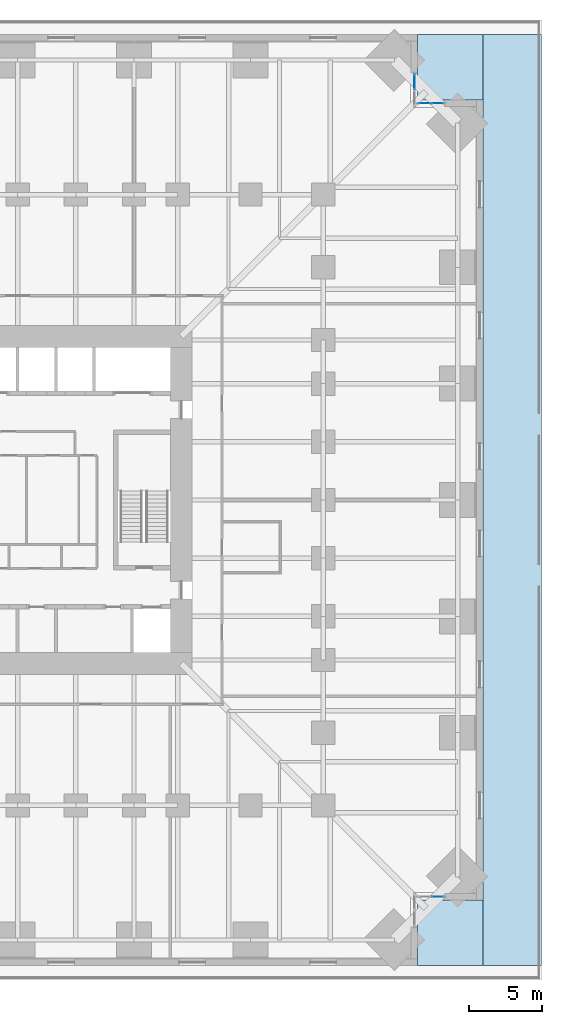
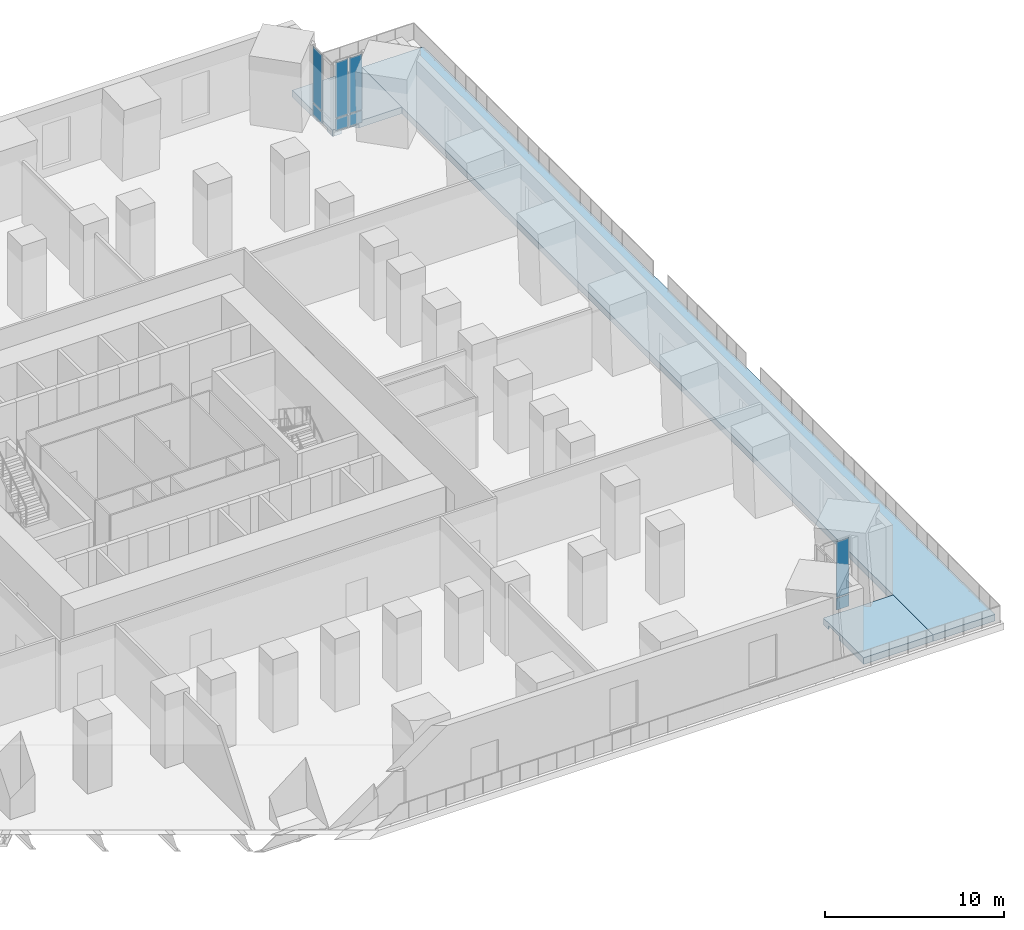
# One storey, part 18 of 26: 8 plates, 3 slabs, 3 elements without a shape of their own.
"""IFC4 building model written with IfcOpenShell, lengths in metres."""

from ifc_helpers import new_model, si_unit, direction, frame, origin, origin_2d, place, context, subcontext, project, spatial, polyline, rectangle, outline, extrude, boolean, material, layer, layer_set, type_object, element, aggregate, save


model = new_model("IFC4")

# Units and contexts
model_context = context("Model", 3, precision=1e-05, world=origin(), true_north=direction((0.0, 1.0)))
body_context = subcontext(model_context, "Body", "Model", "MODEL_VIEW")
ifc_project = project(units=[si_unit("LENGTHUNIT", "METRE"), si_unit("AREAUNIT", "SQUARE_METRE"), si_unit("VOLUMEUNIT", "CUBIC_METRE"), si_unit("PLANEANGLEUNIT", "RADIAN"), si_unit("MASSUNIT", "GRAM", prefix="KILO")], contexts=[model_context])

# Site, building, storey
site_placement = place(None, origin())
site = spatial("IfcSite", under=ifc_project, at=site_placement, CompositionType="ELEMENT")
building_placement = place(site_placement, origin())
building = spatial("IfcBuilding", under=site, at=building_placement, Name="Peilmerk Tower", CompositionType="ELEMENT")
storey_placement = place(building_placement, frame((0.0, 0.0, 16.0)))
storey = spatial("IfcBuildingStorey", under=building, at=storey_placement, Name="L03", CompositionType="ELEMENT", Elevation=16.0)

# Curtain wall, plates
ifc_material_1 = material(Name="Aluminium stick curtain wall", Category="aluminium")
curtain_wall_type = type_object("IfcCurtainWallType", Name="CW1 stick curtain wall, 1500 module", PredefinedType="NOTDEFINED", material=ifc_material_1)
curtain_wall_1_placement = place(storey_placement, origin())
curtain_wall_1 = element("IfcCurtainWall", 1, at=curtain_wall_1_placement, inside=storey, type_object=curtain_wall_type, Name="Curtain wall CW1 NEA L03", PredefinedType="NOTDEFINED")
ifc_material_2 = material(Name="Clear insulated glazing unit", Category="glass")
ifc_layer_1 = layer(ifc_material_2, 0.028076171875)
ifc_layer_set_1 = layer_set([ifc_layer_1], Name="Clear insulated glazing unit")
plate_type = type_object("IfcPlateType", Name="CW1-P 28 glazed panel", PredefinedType="CURTAIN_PANEL", material=ifc_layer_set_1)
plate_1_placement = place(storey_placement, frame((27.27490234375, 28.750244140625, 0.06494140625), z_axis=(0.0, 0.0, 1.0), x_axis=(0.0, 1.0, 0.0)))
plate_1 = element("IfcPlate", 2, at=plate_1_placement, type_object=plate_type, Name="CW1 panel 2.1", PredefinedType="CURTAIN_PANEL", context=body_context, shape_type="SweptSolid", body=[
    extrude(rectangle(XDim=1.046875, YDim=0.028076171875, at=origin_2d()), origin(), (0.0, 0.0, 1.0), 0.802490234375),
])
plate_2_placement = place(storey_placement, frame((27.27490234375, 28.750244140625, 0.9326171875), z_axis=(0.0, 0.0, 1.0), x_axis=(0.0, 1.0, 0.0)))
plate_2 = element("IfcPlate", 3, at=plate_2_placement, type_object=plate_type, Name="CW1 panel 2.2", PredefinedType="CURTAIN_PANEL", context=body_context, shape_type="SweptSolid", body=[
    extrude(rectangle(XDim=1.046875, YDim=0.028076171875, at=origin_2d()), origin(), (0.0, 0.0, 1.0), 3.802490234375),
])
aggregate(curtain_wall_1, [plate_1, plate_2])

curtain_wall_2_placement = place(storey_placement, origin())
curtain_wall_2 = element("IfcCurtainWall", 4, at=curtain_wall_2_placement, inside=storey, type_object=curtain_wall_type, Name="Curtain wall CW1 NEB L03", PredefinedType="NOTDEFINED")
plate_3_placement = place(storey_placement, frame((27.975830078125, 27.27490234375, 0.06494140625), z_axis=(0.0, 0.0, 1.0), x_axis=(1.0, 0.0, 0.0)))
plate_3 = element("IfcPlate", 5, at=plate_3_placement, type_object=plate_type, Name="CW1 panel 1.1", PredefinedType="CURTAIN_PANEL", context=body_context, shape_type="SweptSolid", body=[
    extrude(rectangle(XDim=0.82177734375, YDim=0.028076171875, at=origin_2d()), origin(), (0.0, 0.0, 1.0), 0.802490234375),
])
plate_4_placement = place(storey_placement, frame((27.975830078125, 27.27490234375, 0.9326171875), z_axis=(0.0, 0.0, 1.0), x_axis=(1.0, 0.0, 0.0)))
plate_4 = element("IfcPlate", 6, at=plate_4_placement, type_object=plate_type, Name="CW1 panel 1.2", PredefinedType="CURTAIN_PANEL", context=body_context, shape_type="SweptSolid", body=[
    extrude(rectangle(XDim=0.82177734375, YDim=0.028076171875, at=origin_2d()), origin(), (0.0, 0.0, 1.0), 3.802490234375),
])
plate_5_placement = place(storey_placement, frame((28.86279296875, 27.27490234375, 0.06494140625), z_axis=(0.0, 0.0, 1.0), x_axis=(1.0, 0.0, 0.0)))
plate_5 = element("IfcPlate", 7, at=plate_5_placement, type_object=plate_type, Name="CW1 panel 2.1", PredefinedType="CURTAIN_PANEL", context=body_context, shape_type="SweptSolid", body=[
    extrude(rectangle(XDim=0.82177734375, YDim=0.028076171875, at=origin_2d()), origin(), (0.0, 0.0, 1.0), 0.802490234375),
])
plate_6_placement = place(storey_placement, frame((28.86279296875, 27.27490234375, 0.9326171875), z_axis=(0.0, 0.0, 1.0), x_axis=(1.0, 0.0, 0.0)))
plate_6 = element("IfcPlate", 8, at=plate_6_placement, type_object=plate_type, Name="CW1 panel 2.2", PredefinedType="CURTAIN_PANEL", context=body_context, shape_type="SweptSolid", body=[
    extrude(rectangle(XDim=0.82177734375, YDim=0.028076171875, at=origin_2d()), origin(), (0.0, 0.0, 1.0), 3.802490234375),
])
aggregate(curtain_wall_2, [plate_3, plate_4, plate_5, plate_6])

curtain_wall_3_placement = place(storey_placement, origin())
curtain_wall_3 = element("IfcCurtainWall", 9, at=curtain_wall_3_placement, inside=storey, type_object=curtain_wall_type, Name="Curtain wall CW1 SEB L03", PredefinedType="NOTDEFINED")
plate_7_placement = place(storey_placement, frame((28.86279296875, -27.27490234375, 0.06494140625), z_axis=(0.0, 0.0, 1.0), x_axis=(1.0, 0.0, 0.0)))
plate_7 = element("IfcPlate", 10, at=plate_7_placement, type_object=plate_type, Name="CW1 panel 2.1", PredefinedType="CURTAIN_PANEL", context=body_context, shape_type="SweptSolid", body=[
    extrude(rectangle(XDim=0.82177734375, YDim=0.028076171875, at=origin_2d()), origin(), (0.0, 0.0, 1.0), 0.802490234375),
])
plate_8_placement = place(storey_placement, frame((28.86279296875, -27.27490234375, 0.9326171875), z_axis=(0.0, 0.0, 1.0), x_axis=(1.0, 0.0, 0.0)))
plate_8 = element("IfcPlate", 11, at=plate_8_placement, type_object=plate_type, Name="CW1 panel 2.2", PredefinedType="CURTAIN_PANEL", context=body_context, shape_type="SweptSolid", body=[
    extrude(rectangle(XDim=0.82177734375, YDim=0.028076171875, at=origin_2d()), origin(), (0.0, 0.0, 1.0), 3.802490234375),
])
aggregate(curtain_wall_3, [plate_7, plate_8])

# Slabs
ifc_material_3 = material(Name="Concrete C35/45", Category="concrete")
ifc_layer_2 = layer(ifc_material_3, 0.449951171875)
ifc_layer_set_2 = layer_set([ifc_layer_2], Name="Concrete C35/45")
slab_type = type_object("IfcSlabType", Name="TS450 450 terrace roof slab", PredefinedType="ROOF", material=ifc_layer_set_2)
slab_1_placement = place(storey_placement, frame((0.0, 0.0, -0.449951171875)))
element("IfcSlab", 12, at=slab_1_placement, inside=storey, type_object=slab_type, Name="Terrace slab L03 E", PredefinedType="ROOF", context=body_context, shape_type="SweptSolid", body=[
    extrude(outline(polyline([(36.0, -32.0), (36.0, 32.0), (32.0, 32.0), (32.0, -32.0), (36.0, -32.0)])), origin(), (0.0, 0.0, 1.0), 0.449951171875),
])
slab_2_placement = place(storey_placement, frame((0.0, 0.0, -0.449951171875)))
element("IfcSlab", 13, at=slab_2_placement, inside=storey, type_object=slab_type, Name="Terrace slab L03 NE", PredefinedType="ROOF", context=body_context, shape_type="CSG", body=[
    boolean("DIFFERENCE", extrude(outline(polyline([(27.5, 27.5), (32.0, 27.5), (32.0, 32.0), (27.5, 32.0), (27.5, 27.5)])), origin(), (0.0, 0.0, 1.0), 0.449951171875), extrude(outline(polyline([(27.5, 29.218994140625), (29.218994140625, 27.5), (28.08740234375, 27.5), (27.5, 28.08740234375), (27.5, 29.218994140625)])), frame((0.0, 0.0, -0.010009765625)), (0.0, 0.0, 1.0), 0.260009765625)),
])
slab_3_placement = place(storey_placement, frame((0.0, 0.0, -0.449951171875)))
element("IfcSlab", 14, at=slab_3_placement, inside=storey, type_object=slab_type, Name="Terrace slab L03 SE", PredefinedType="ROOF", context=body_context, shape_type="CSG", body=[
    boolean("DIFFERENCE", extrude(outline(polyline([(32.0, -27.5), (27.5, -27.5), (27.5, -32.0), (32.0, -32.0), (32.0, -27.5)])), origin(), (0.0, 0.0, 1.0), 0.449951171875), extrude(outline(polyline([(27.5, -28.08740234375), (28.08740234375, -27.5), (29.218994140625, -27.5), (27.5, -29.218994140625), (27.5, -28.08740234375)])), frame((0.0, 0.0, -0.010009765625)), (0.0, 0.0, 1.0), 0.260009765625)),
])

save(model, "model.ifc")
